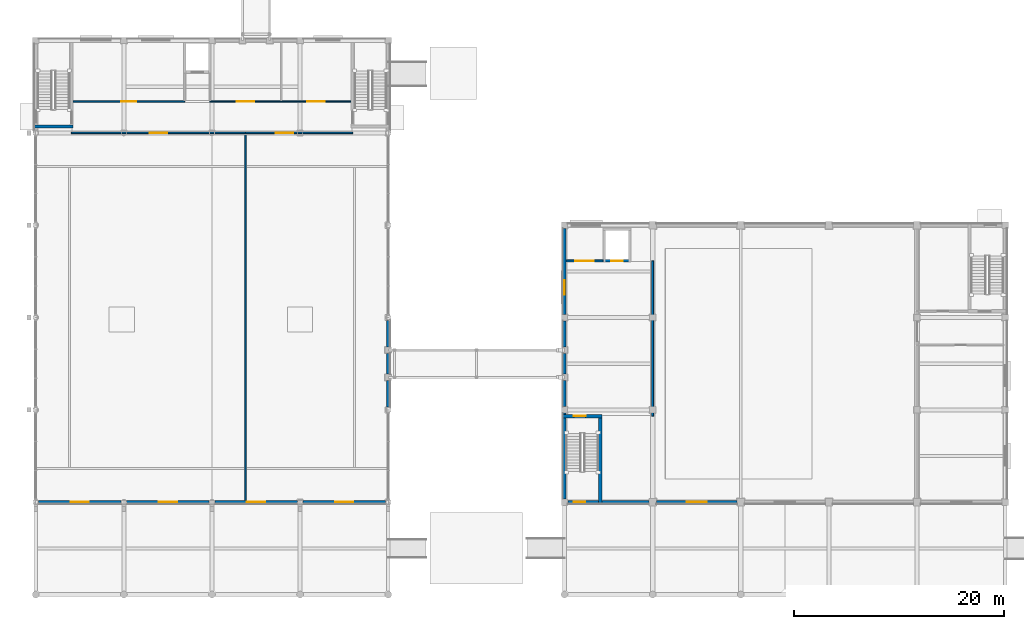
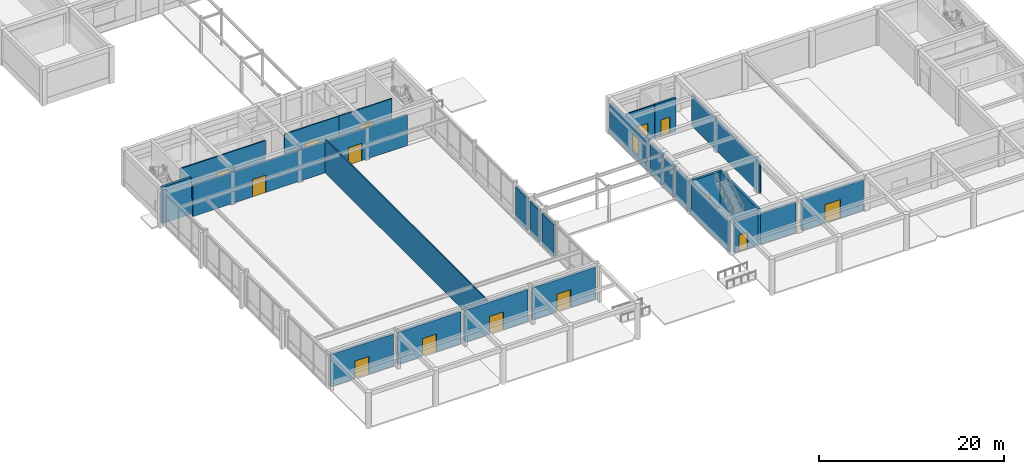
# One storey, part 32 of 58: 26 walls, 14 doors, 1 window, 15 openings.
"""IFC4 building model written with IfcOpenShell, lengths in metres."""

from ifc_helpers import new_model, si_unit, direction, frame, frame_2d, origin, place, context, subcontext, project, spatial, rectangle, extrude, material, layer, layer_set, type_object, element, fill, save


model = new_model("IFC4")

# Units and contexts
model_context = context("Model", 3, precision=1e-05, world=origin(), true_north=direction((0.0, 1.0)))
body_context = subcontext(model_context, "Body", "Model", "MODEL_VIEW")
ifc_project = project(units=[si_unit("LENGTHUNIT", "METRE"), si_unit("AREAUNIT", "SQUARE_METRE"), si_unit("VOLUMEUNIT", "CUBIC_METRE"), si_unit("PLANEANGLEUNIT", "RADIAN"), si_unit("MASSUNIT", "GRAM", prefix="KILO")], contexts=[model_context])

# Site, building, storey
site_placement = place(None, origin())
site = spatial("IfcSite", under=ifc_project, at=site_placement, CompositionType="ELEMENT")
building_placement = place(site_placement, origin())
building = spatial("IfcBuilding", under=site, at=building_placement, Name="Kemercrest Conservatory and Botanical Centre", CompositionType="ELEMENT")
storey_placement = place(building_placement, origin())
storey = spatial("IfcBuildingStorey", under=building, at=storey_placement, Name="L00", CompositionType="ELEMENT", Elevation=0.0)

# Wall, opening, door
ifc_material_1 = material(Name="Precast concrete C40/50", Category="concrete")
ifc_layer_1 = layer(ifc_material_1, 0.300048828125)
ifc_layer_set_1 = layer_set([ifc_layer_1], Name="Precast concrete C40/50")
wall_type_1 = type_object("IfcWallType", Name="CW-EXT300", PredefinedType="SHEAR", material=ifc_layer_set_1)
wall_1_placement = place(storey_placement, frame((58.7099609375, 16.800048828125, 0.0), z_axis=(0.0, 0.0, 1.0), x_axis=(1.0, 0.0, 0.0)))
wall_1 = element("IfcWall", 1, at=wall_1_placement, inside=storey, type_object=wall_type_1, Name="Exterior stair-core shear wall CW-EXT300 (WAL:L00:EXT-021)", PredefinedType="SHEAR", context=body_context, shape_type="SweptSolid", body=[
    extrude(rectangle(XDim=7.72998046875, YDim=0.300048828125, at=frame_2d((3.864990234375, 0.0))), origin(), (0.0, 0.0, 1.0), 4.050048828125),
])
opening_1_placement = place(wall_1_placement, frame((0.550048828125, 0.0, 0.0)))
opening_1 = element("IfcOpeningElement", 2, at=opening_1_placement, cuts=wall_1, Name="Opening ED013", PredefinedType="OPENING", context=body_context, shape_type="SweptSolid", body=[
    extrude(rectangle(XDim=1.10009765625, YDim=2.199951171875, at=frame_2d((0.550048828125, 1.10009765625))), frame((0.0, 0.16015625, 0.0), z_axis=(0.0, -1.0, 0.0), x_axis=(1.0, 0.0, 0.0)), (0.0, 0.0, 1.0), 0.320068359375),
])
ifc_material_2 = material(Name="Thermally broken bronze-anodized aluminium and laminated safety glass", Category="aluminium")
door_type_1 = type_object("IfcDoorType", Name="DT-E03", OperationType="NOTDEFINED", PredefinedType="DOOR", material=ifc_material_2)
door_1_placement = place(opening_1_placement, frame((1.10009765625, 0.0, 0.0), z_axis=(0.0, 0.0, 1.0), x_axis=(-1.0, 0.0, 0.0)))
door_1 = element("IfcDoor", 3, at=door_1_placement, inside=storey, type_object=door_type_1, Name="Exit Stair ST-V2A Exterior Discharge Door", OperationType="SINGLE_SWING_LEFT", OverallHeight=2.199951171875, OverallWidth=1.10009765625, PredefinedType="DOOR", context=body_context, shape_type="SweptSolid", body=[
    extrude(rectangle(XDim=1.10009765625, YDim=2.199951171875, at=frame_2d((0.550048828125, 1.10009765625))), frame((0.0, 0.02490234375, 0.0), z_axis=(0.0, -1.0, 0.0), x_axis=(1.0, 0.0, 0.0)), (0.0, 0.0, 1.0), 0.050048828125),
])
fill(opening_1, door_1)

# Walls
wall_2_placement = place(storey_placement, frame((58.39990234375, 25.2900390625, 0.0), z_axis=(0.0, 0.0, 1.0), x_axis=(0.0, -1.0, 0.0)))
element("IfcWall", 4, at=wall_2_placement, inside=storey, type_object=wall_type_1, Name="Exterior stair-core shear wall CW-EXT300 (WAL:L00:EXT-036)", PredefinedType="SHEAR", context=body_context, shape_type="SweptSolid", body=[
    extrude(rectangle(XDim=8.179931640625, YDim=0.300048828125, at=frame_2d((4.08984375, 0.0))), origin(), (0.0, 0.0, 1.0), 4.050048828125),
])
ifc_material_3 = material(Name="Concrete C50/60", Category="concrete")
ifc_layer_2 = layer(ifc_material_3, 0.300048828125)
ifc_layer_set_2 = layer_set([ifc_layer_2], Name="Concrete C50/60")
wall_type_2 = type_object("IfcWallType", Name="CW-STAIR", PredefinedType="SHEAR", material=ifc_layer_set_2)
wall_3_placement = place(storey_placement, frame((7.85009765625, 52.60009765625, 0.0), z_axis=(0.0, 0.0, 1.0), x_axis=(1.0, 0.0, 0.0)))
element("IfcWall", 5, at=wall_3_placement, inside=storey, type_object=wall_type_2, Name="Stair core ST-V1A shear wall S", PredefinedType="SHEAR", context=body_context, shape_type="SweptSolid", body=[
    extrude(rectangle(XDim=3.699951171875, YDim=0.300048828125, at=frame_2d((1.85009765625, 0.0))), origin(), (0.0, 0.0, 1.0), 4.800048828125),
])

# Wall, opening, door
wall_4_placement = place(storey_placement, frame((58.25, 25.0, 0.0), z_axis=(0.0, 0.0, 1.0), x_axis=(1.0, 0.0, 0.0)))
wall_4 = element("IfcWall", 6, at=wall_4_placement, inside=storey, type_object=wall_type_2, Name="Stair core ST-V2A shear wall N", PredefinedType="SHEAR", context=body_context, shape_type="SweptSolid", body=[
    extrude(rectangle(XDim=3.699951171875, YDim=0.300048828125, at=frame_2d((1.85009765625, 0.0))), origin(), (0.0, 0.0, 1.0), 4.800048828125),
])
opening_2_placement = place(wall_4_placement, frame((1.050048828125, 0.0, 0.0)))
opening_2 = element("IfcOpeningElement", 7, at=opening_2_placement, cuts=wall_4, Name="Opening D008", PredefinedType="OPENING", context=body_context, shape_type="SweptSolid", body=[
    extrude(rectangle(XDim=1.10009765625, YDim=2.199951171875, at=frame_2d((0.550048828125, 1.10009765625))), frame((0.0, 0.16015625, 0.0), z_axis=(0.0, -1.0, 0.0), x_axis=(1.0, 0.0, 0.0)), (0.0, 0.0, 1.0), 0.320068359375),
])
ifc_material_4 = material(Name="Powder-coated galvanized steel and fire-rated vision glass", Category="steel")
door_type_2 = type_object("IfcDoorType", Name="DT-FD90", OperationType="NOTDEFINED", PredefinedType="DOOR", material=ifc_material_4)
door_2_placement = place(opening_2_placement, origin())
door_2 = element("IfcDoor", 8, at=door_2_placement, inside=storey, type_object=door_type_2, Name="Exit stair ST-V2A fire door D008", OperationType="SINGLE_SWING_RIGHT", OverallHeight=2.199951171875, OverallWidth=1.10009765625, PredefinedType="DOOR", context=body_context, shape_type="SweptSolid", body=[
    extrude(rectangle(XDim=1.10009765625, YDim=2.199951171875, at=frame_2d((0.550048828125, 1.10009765625))), frame((0.0, 0.02490234375, 0.0), z_axis=(0.0, -1.0, 0.0), x_axis=(1.0, 0.0, 0.0)), (0.0, 0.0, 1.0), 0.050048828125),
])
fill(opening_2, door_2)

# Wall
wall_5_placement = place(storey_placement, frame((61.800048828125, 16.64990234375, 0.0), z_axis=(0.0, 0.0, 1.0), x_axis=(0.0, 1.0, 0.0)))
element("IfcWall", 9, at=wall_5_placement, inside=storey, type_object=wall_type_2, Name="Stair core ST-V2A shear wall E", PredefinedType="SHEAR", context=body_context, shape_type="SweptSolid", body=[
    extrude(rectangle(XDim=8.5, YDim=0.300048828125, at=frame_2d((4.25, 0.0))), origin(), (0.0, 0.0, 1.0), 4.800048828125),
])

# Wall, opening, door
ifc_layer_3 = layer(ifc_material_1, 0.300048828125)
ifc_layer_set_3 = layer_set([ifc_layer_3], Name="Precast concrete C40/50")
wall_type_3 = type_object("IfcWallType", Name="W-EXT300", PredefinedType="SOLIDWALL", material=ifc_layer_set_3)
wall_6_placement = place(storey_placement, frame((8.263916015625, 16.800048828125, 0.0), z_axis=(0.0, 0.0, 1.0), x_axis=(1.0, 0.0, 0.0)))
wall_6 = element("IfcWall", 10, at=wall_6_placement, inside=storey, type_object=wall_type_3, Name="Exterior almasik wall W-EXT300 (WAL:L00:EXT-001)", PredefinedType="SOLIDWALL", context=body_context, shape_type="SweptSolid", body=[
    extrude(rectangle(XDim=7.8720703125, YDim=0.300048828125, at=frame_2d((3.93603515625, 0.0))), origin(), (0.0, 0.0, 1.0), 4.25),
])
opening_3_placement = place(wall_6_placement, frame((3.06103515625, 0.0, 0.0)))
opening_3 = element("IfcOpeningElement", 11, at=opening_3_placement, cuts=wall_6, Name="Opening ED001", PredefinedType="OPENING", context=body_context, shape_type="SweptSolid", body=[
    extrude(rectangle(XDim=1.75, YDim=2.35009765625, at=frame_2d((0.875, 1.175048828125))), frame((0.0, 0.16015625, 0.0), z_axis=(0.0, -1.0, 0.0), x_axis=(1.0, 0.0, 0.0)), (0.0, 0.0, 1.0), 0.320068359375),
])
door_type_3 = type_object("IfcDoorType", Name="DT-E10", OperationType="DOUBLE_DOOR_SINGLE_SWING", PredefinedType="DOOR", material=ifc_material_2)
door_3_placement = place(opening_3_placement, frame((1.75, 0.0, 0.0), z_axis=(0.0, 0.0, 1.0), x_axis=(-1.0, 0.0, 0.0)))
door_3 = element("IfcDoor", 12, at=door_3_placement, inside=storey, type_object=door_type_3, Name="Conservatory South Harbour Entrance Door", OperationType="DOUBLE_DOOR_SINGLE_SWING", OverallHeight=2.35009765625, OverallWidth=1.75, PredefinedType="DOOR", context=body_context, shape_type="SweptSolid", body=[
    extrude(rectangle(XDim=1.75, YDim=2.35009765625, at=frame_2d((0.875, 1.175048828125))), frame((0.0, 0.02490234375, 0.0), z_axis=(0.0, -1.0, 0.0), x_axis=(1.0, 0.0, 0.0)), (0.0, 0.0, 1.0), 0.050048828125),
])
fill(opening_3, door_3)

wall_7_placement = place(storey_placement, frame((16.6640625, 16.800048828125, 0.0), z_axis=(0.0, 0.0, 1.0), x_axis=(1.0, 0.0, 0.0)))
wall_7 = element("IfcWall", 13, at=wall_7_placement, inside=storey, type_object=wall_type_3, Name="Exterior almasik wall W-EXT300 (WAL:L00:EXT-002)", PredefinedType="SOLIDWALL", context=body_context, shape_type="SweptSolid", body=[
    extrude(rectangle(XDim=7.871826171875, YDim=0.300048828125, at=frame_2d((3.93603515625, 0.0))), origin(), (0.0, 0.0, 1.0), 4.25),
])
opening_4_placement = place(wall_7_placement, frame((3.06103515625, 0.0, 0.0)))
opening_4 = element("IfcOpeningElement", 14, at=opening_4_placement, cuts=wall_7, Name="Opening ED002", PredefinedType="OPENING", context=body_context, shape_type="SweptSolid", body=[
    extrude(rectangle(XDim=1.75, YDim=2.35009765625, at=frame_2d((0.875, 1.175048828125))), frame((0.0, 0.16015625, 0.0), z_axis=(0.0, -1.0, 0.0), x_axis=(1.0, 0.0, 0.0)), (0.0, 0.0, 1.0), 0.320068359375),
])
door_4_placement = place(opening_4_placement, frame((1.75, 0.0, 0.0), z_axis=(0.0, 0.0, 1.0), x_axis=(-1.0, 0.0, 0.0)))
door_4 = element("IfcDoor", 15, at=door_4_placement, inside=storey, type_object=door_type_3, Name="Conservatory South Harbour Entrance Door", OperationType="DOUBLE_DOOR_SINGLE_SWING", OverallHeight=2.35009765625, OverallWidth=1.75, PredefinedType="DOOR", context=body_context, shape_type="SweptSolid", body=[
    extrude(rectangle(XDim=1.75, YDim=2.35009765625, at=frame_2d((0.875, 1.175048828125))), frame((0.0, 0.02490234375, 0.0), z_axis=(0.0, -1.0, 0.0), x_axis=(1.0, 0.0, 0.0)), (0.0, 0.0, 1.0), 0.050048828125),
])
fill(opening_4, door_4)

wall_8_placement = place(storey_placement, frame((25.06396484375, 16.800048828125, 0.0), z_axis=(0.0, 0.0, 1.0), x_axis=(1.0, 0.0, 0.0)))
wall_8 = element("IfcWall", 16, at=wall_8_placement, inside=storey, type_object=wall_type_3, Name="Exterior almasik wall W-EXT300 (WAL:L00:EXT-003)", PredefinedType="SOLIDWALL", context=body_context, shape_type="SweptSolid", body=[
    extrude(rectangle(XDim=7.8720703125, YDim=0.300048828125, at=frame_2d((3.93603515625, 0.0))), origin(), (0.0, 0.0, 1.0), 4.25),
])
opening_5_placement = place(wall_8_placement, frame((3.06103515625, 0.0, 0.0)))
opening_5 = element("IfcOpeningElement", 17, at=opening_5_placement, cuts=wall_8, Name="Opening ED003", PredefinedType="OPENING", context=body_context, shape_type="SweptSolid", body=[
    extrude(rectangle(XDim=1.75, YDim=2.35009765625, at=frame_2d((0.875, 1.175048828125))), frame((0.0, 0.16015625, 0.0), z_axis=(0.0, -1.0, 0.0), x_axis=(1.0, 0.0, 0.0)), (0.0, 0.0, 1.0), 0.320068359375),
])
door_5_placement = place(opening_5_placement, frame((1.75, 0.0, 0.0), z_axis=(0.0, 0.0, 1.0), x_axis=(-1.0, 0.0, 0.0)))
door_5 = element("IfcDoor", 18, at=door_5_placement, inside=storey, type_object=door_type_3, Name="Conservatory South Harbour Entrance Door", OperationType="DOUBLE_DOOR_SINGLE_SWING", OverallHeight=2.35009765625, OverallWidth=1.75, PredefinedType="DOOR", context=body_context, shape_type="SweptSolid", body=[
    extrude(rectangle(XDim=1.75, YDim=2.35009765625, at=frame_2d((0.875, 1.175048828125))), frame((0.0, 0.02490234375, 0.0), z_axis=(0.0, -1.0, 0.0), x_axis=(1.0, 0.0, 0.0)), (0.0, 0.0, 1.0), 0.050048828125),
])
fill(opening_5, door_5)

wall_9_placement = place(storey_placement, frame((33.464111328125, 16.800048828125, 0.0), z_axis=(0.0, 0.0, 1.0), x_axis=(1.0, 0.0, 0.0)))
wall_9 = element("IfcWall", 19, at=wall_9_placement, inside=storey, type_object=wall_type_3, Name="Exterior almasik wall W-EXT300 (WAL:L00:EXT-004)", PredefinedType="SOLIDWALL", context=body_context, shape_type="SweptSolid", body=[
    extrude(rectangle(XDim=7.871826171875, YDim=0.300048828125, at=frame_2d((3.93603515625, 0.0))), origin(), (0.0, 0.0, 1.0), 4.25),
])
opening_6_placement = place(wall_9_placement, frame((3.06103515625, 0.0, 0.0)))
opening_6 = element("IfcOpeningElement", 20, at=opening_6_placement, cuts=wall_9, Name="Opening ED004", PredefinedType="OPENING", context=body_context, shape_type="SweptSolid", body=[
    extrude(rectangle(XDim=1.75, YDim=2.35009765625, at=frame_2d((0.875, 1.175048828125))), frame((0.0, 0.16015625, 0.0), z_axis=(0.0, -1.0, 0.0), x_axis=(1.0, 0.0, 0.0)), (0.0, 0.0, 1.0), 0.320068359375),
])
door_6_placement = place(opening_6_placement, frame((1.75, 0.0, 0.0), z_axis=(0.0, 0.0, 1.0), x_axis=(-1.0, 0.0, 0.0)))
door_6 = element("IfcDoor", 21, at=door_6_placement, inside=storey, type_object=door_type_3, Name="Conservatory South Harbour Entrance Door", OperationType="DOUBLE_DOOR_SINGLE_SWING", OverallHeight=2.35009765625, OverallWidth=1.75, PredefinedType="DOOR", context=body_context, shape_type="SweptSolid", body=[
    extrude(rectangle(XDim=1.75, YDim=2.35009765625, at=frame_2d((0.875, 1.175048828125))), frame((0.0, 0.02490234375, 0.0), z_axis=(0.0, -1.0, 0.0), x_axis=(1.0, 0.0, 0.0)), (0.0, 0.0, 1.0), 0.050048828125),
])
fill(opening_6, door_6)

# Walls
wall_10_placement = place(storey_placement, frame((41.60009765625, 25.864013671875, 0.0), z_axis=(0.0, 0.0, 1.0), x_axis=(0.0, 1.0, 0.0)))
element("IfcWall", 22, at=wall_10_placement, inside=storey, type_object=wall_type_3, Name="Exterior almasik wall W-EXT300 (WAL:L00:EXT-005-S1)", PredefinedType="SOLIDWALL", context=body_context, shape_type="SweptSolid", body=[
    extrude(rectangle(XDim=2.52587890625, YDim=0.300048828125, at=frame_2d((1.262939453125, 0.0))), origin(), (0.0, 0.0, 1.0), 4.22607421875),
])
wall_11_placement = place(storey_placement, frame((41.60009765625, 29.010009765625, 0.0), z_axis=(0.0, 0.0, 1.0), x_axis=(0.0, 1.0, 0.0)))
element("IfcWall", 23, at=wall_11_placement, inside=storey, type_object=wall_type_3, Name="Exterior almasik wall W-EXT300 (WAL:L00:EXT-005-S2)", PredefinedType="SOLIDWALL", context=body_context, shape_type="SweptSolid", body=[
    extrude(rectangle(XDim=1.97998046875, YDim=0.300048828125, at=frame_2d((0.989990234375, 0.0))), origin(), (0.0, 0.0, 1.0), 4.22607421875),
])
wall_12_placement = place(storey_placement, frame((41.60009765625, 31.610107421875, 0.0), z_axis=(0.0, 0.0, 1.0), x_axis=(0.0, 1.0, 0.0)))
element("IfcWall", 24, at=wall_12_placement, inside=storey, type_object=wall_type_3, Name="Exterior almasik wall W-EXT300 (WAL:L00:EXT-005-S3)", PredefinedType="SOLIDWALL", context=body_context, shape_type="SweptSolid", body=[
    extrude(rectangle(XDim=2.52587890625, YDim=0.300048828125, at=frame_2d((1.262939453125, 0.0))), origin(), (0.0, 0.0, 1.0), 4.22607421875),
])

# Wall, opening, door
wall_13_placement = place(storey_placement, frame((67.159912109375, 16.800048828125, 0.0), z_axis=(0.0, 0.0, 1.0), x_axis=(1.0, 0.0, 0.0)))
wall_13 = element("IfcWall", 25, at=wall_13_placement, inside=storey, type_object=wall_type_3, Name="Exterior almasik wall W-EXT300 (WAL:L00:EXT-022)", PredefinedType="SOLIDWALL", context=body_context, shape_type="SweptSolid", body=[
    extrude(rectangle(XDim=7.68017578125, YDim=0.300048828125, at=frame_2d((3.840087890625, 0.0))), origin(), (0.0, 0.0, 1.0), 4.050048828125),
])
opening_7_placement = place(wall_13_placement, frame((2.864990234375, 0.0, 0.0)))
opening_7 = element("IfcOpeningElement", 26, at=opening_7_placement, cuts=wall_13, Name="Opening ED014", PredefinedType="OPENING", context=body_context, shape_type="SweptSolid", body=[
    extrude(rectangle(XDim=1.949951171875, YDim=2.449951171875, at=frame_2d((0.97509765625, 1.22509765625))), frame((0.0, 0.16015625, 0.0), z_axis=(0.0, -1.0, 0.0), x_axis=(1.0, 0.0, 0.0)), (0.0, 0.0, 1.0), 0.320068359375),
])
door_type_4 = type_object("IfcDoorType", Name="DT-E11", OperationType="DOUBLE_DOOR_SINGLE_SWING", PredefinedType="DOOR", material=ifc_material_2)
door_7_placement = place(opening_7_placement, frame((1.949951171875, 0.0, 0.0), z_axis=(0.0, 0.0, 1.0), x_axis=(-1.0, 0.0, 0.0)))
door_7 = element("IfcDoor", 27, at=door_7_placement, inside=storey, type_object=door_type_4, Name="Auditorium Harbour Foyer Main Entrance Door", OperationType="DOUBLE_DOOR_SINGLE_SWING", OverallHeight=2.449951171875, OverallWidth=1.949951171875, PredefinedType="DOOR", context=body_context, shape_type="SweptSolid", body=[
    extrude(rectangle(XDim=1.949951171875, YDim=2.449951171875, at=frame_2d((0.97509765625, 1.22509765625))), frame((0.0, 0.02490234375, 0.0), z_axis=(0.0, -1.0, 0.0), x_axis=(1.0, 0.0, 0.0)), (0.0, 0.0, 1.0), 0.050048828125),
])
fill(opening_7, door_7)

# Wall, opening, window
wall_14_placement = place(storey_placement, frame((58.39990234375, 42.889892578125, 0.0), z_axis=(0.0, 0.0, 1.0), x_axis=(0.0, -1.0, 0.0)))
wall_14 = element("IfcWall", 28, at=wall_14_placement, inside=storey, type_object=wall_type_3, Name="Exterior almasik wall W-EXT300 (WAL:L00:EXT-034)", PredefinedType="SOLIDWALL", context=body_context, shape_type="SweptSolid", body=[
    extrude(rectangle(XDim=8.179931640625, YDim=0.300048828125, at=frame_2d((4.08984375, 0.0))), origin(), (0.0, 0.0, 1.0), 4.050048828125),
])
opening_8_placement = place(wall_14_placement, frame((4.945068359375, 0.0, 0.89990234375)))
opening_8 = element("IfcOpeningElement", 29, at=opening_8_placement, cuts=wall_14, Name="Opening WT-41", PredefinedType="OPENING", context=body_context, shape_type="SweptSolid", body=[
    extrude(rectangle(XDim=1.3798828125, YDim=2.239990234375, at=frame_2d((0.68994140625, 1.1201171875))), frame((0.0, 0.16015625, 0.0), z_axis=(0.0, -1.0, 0.0), x_axis=(1.0, 0.0, 0.0)), (0.0, 0.0, 1.0), 0.320068359375),
])
ifc_material_5 = material(Name="Thermally broken bronze-anodized aluminium and triple glazing", Category="aluminium")
window_type = type_object("IfcWindowType", Name="WT-41", PartitioningType="SINGLE_PANEL", PredefinedType="WINDOW", material=ifc_material_5)
window_placement = place(opening_8_placement, origin())
window = element("IfcWindow", 30, at=window_placement, inside=storey, type_object=window_type, Name="Exterior window WT-41 (WIN:L00:EXT-034)", OverallHeight=2.239990234375, OverallWidth=1.3798828125, PartitioningType="SINGLE_PANEL", PredefinedType="WINDOW", context=body_context, shape_type="SweptSolid", body=[
    extrude(rectangle(XDim=1.3798828125, YDim=2.239990234375, at=frame_2d((0.68994140625, 1.1201171875))), frame((0.0, 0.030029296875, 0.0), z_axis=(0.0, -1.0, 0.0), x_axis=(1.0, 0.0, 0.0)), (0.0, 0.0, 1.0), 0.06005859375),
])
fill(opening_8, window)

# Walls
wall_15_placement = place(storey_placement, frame((58.39990234375, 34.090087890625, 0.0), z_axis=(0.0, 0.0, 1.0), x_axis=(0.0, -1.0, 0.0)))
element("IfcWall", 31, at=wall_15_placement, inside=storey, type_object=wall_type_3, Name="Exterior almasik wall W-EXT300 (WAL:L00:EXT-035-S1)", PredefinedType="SOLIDWALL", context=body_context, shape_type="SweptSolid", body=[
    extrude(rectangle(XDim=2.47998046875, YDim=0.300048828125, at=frame_2d((1.239990234375, 0.0))), origin(), (0.0, 0.0, 1.0), 4.050048828125),
])
wall_16_placement = place(storey_placement, frame((58.39990234375, 30.989990234375, 0.0), z_axis=(0.0, 0.0, 1.0), x_axis=(0.0, -1.0, 0.0)))
element("IfcWall", 32, at=wall_16_placement, inside=storey, type_object=wall_type_3, Name="Exterior almasik wall W-EXT300 (WAL:L00:EXT-035-S2)", PredefinedType="SOLIDWALL", context=body_context, shape_type="SweptSolid", body=[
    extrude(rectangle(XDim=1.97998046875, YDim=0.300048828125, at=frame_2d((0.989990234375, 0.0))), origin(), (0.0, 0.0, 1.0), 4.050048828125),
])
wall_17_placement = place(storey_placement, frame((58.39990234375, 28.389892578125, 0.0), z_axis=(0.0, 0.0, 1.0), x_axis=(0.0, -1.0, 0.0)))
element("IfcWall", 33, at=wall_17_placement, inside=storey, type_object=wall_type_3, Name="Exterior almasik wall W-EXT300 (WAL:L00:EXT-035-S3)", PredefinedType="SOLIDWALL", context=body_context, shape_type="SweptSolid", body=[
    extrude(rectangle(XDim=2.47998046875, YDim=0.300048828125, at=frame_2d((1.239990234375, 0.0))), origin(), (0.0, 0.0, 1.0), 4.050048828125),
])

# Wall, opening, door
ifc_material_6 = material(Name="Moisture-resistant gypsum board partition", Category="gypsum")
ifc_layer_4 = layer(ifc_material_6, 0.125)
ifc_layer_set_4 = layer_set([ifc_layer_4], Name="Moisture-resistant gypsum board partition")
wall_type_4 = type_object("IfcWallType", Name="W-PART125", PredefinedType="PARTITIONING", material=ifc_layer_set_4)
wall_18_placement = place(storey_placement, frame((24.60009765625, 55.0, 0.0), z_axis=(0.0, 0.0, 1.0), x_axis=(1.0, 0.0, 0.0)))
wall_18 = element("IfcWall", 34, at=wall_18_placement, inside=storey, type_object=wall_type_4, Name="Interior partition W-PART125 #19", PredefinedType="PARTITIONING", context=body_context, shape_type="SweptSolid", body=[
    extrude(rectangle(XDim=6.7998046875, YDim=0.125, at=frame_2d((3.39990234375, 0.0))), origin(), (0.0, 0.0, 1.0), 4.465087890625),
])
opening_9_placement = place(wall_18_placement, frame((2.56005859375, 0.0, 0.0)))
opening_9 = element("IfcOpeningElement", 35, at=opening_9_placement, cuts=wall_18, Name="Opening D117", PredefinedType="OPENING", context=body_context, shape_type="SweptSolid", body=[
    extrude(rectangle(XDim=1.679931640625, YDim=2.300048828125, at=frame_2d((0.83984375, 1.14990234375))), frame((0.0, 0.072509765625, 0.0), z_axis=(0.0, -1.0, 0.0), x_axis=(1.0, 0.0, 0.0)), (0.0, 0.0, 1.0), 0.14501953125),
])
ifc_material_7 = material(Name="FSC solid-core white oak veneer and anodized aluminium frame", Category="aluminium")
door_type_5 = type_object("IfcDoorType", Name="DT-11", OperationType="DOUBLE_DOOR_SINGLE_SWING", PredefinedType="DOOR", material=ifc_material_7)
door_8_placement = place(opening_9_placement, origin())
door_8 = element("IfcDoor", 36, at=door_8_placement, inside=storey, type_object=door_type_5, Name="Conservatory Public Washroom door D117", OperationType="DOUBLE_DOOR_SINGLE_SWING", OverallHeight=2.300048828125, OverallWidth=1.679931640625, PredefinedType="DOOR", context=body_context, shape_type="SweptSolid", body=[
    extrude(rectangle(XDim=1.679931640625, YDim=2.300048828125, at=frame_2d((0.83984375, 1.14990234375))), frame((0.0, 0.02490234375, 0.0), z_axis=(0.0, -1.0, 0.0), x_axis=(1.0, 0.0, 0.0)), (0.0, 0.0, 1.0), 0.050048828125),
])
fill(opening_9, door_8)

wall_19_placement = place(storey_placement, frame((31.39990234375, 55.0, 0.0), z_axis=(0.0, 0.0, 1.0), x_axis=(1.0, 0.0, 0.0)))
wall_19 = element("IfcWall", 37, at=wall_19_placement, inside=storey, type_object=wall_type_4, Name="Interior partition W-PART125 #20", PredefinedType="PARTITIONING", context=body_context, shape_type="SweptSolid", body=[
    extrude(rectangle(XDim=6.64501953125, YDim=0.125, at=frame_2d((3.322509765625, 0.0))), origin(), (0.0, 0.0, 1.0), 4.465087890625),
])
opening_10_placement = place(wall_19_placement, frame((2.482421875, 0.0, 0.0)))
opening_10 = element("IfcOpeningElement", 38, at=opening_10_placement, cuts=wall_19, Name="Opening D118", PredefinedType="OPENING", context=body_context, shape_type="SweptSolid", body=[
    extrude(rectangle(XDim=1.679931640625, YDim=2.300048828125, at=frame_2d((0.83984375, 1.14990234375))), frame((0.0, 0.072509765625, 0.0), z_axis=(0.0, -1.0, 0.0), x_axis=(1.0, 0.0, 0.0)), (0.0, 0.0, 1.0), 0.14501953125),
])
door_9_placement = place(opening_10_placement, origin())
door_9 = element("IfcDoor", 39, at=door_9_placement, inside=storey, type_object=door_type_5, Name="Conservatory Accessible Washroom door D118", OperationType="DOUBLE_DOOR_SINGLE_SWING", OverallHeight=2.300048828125, OverallWidth=1.679931640625, PredefinedType="DOOR", context=body_context, shape_type="SweptSolid", body=[
    extrude(rectangle(XDim=1.679931640625, YDim=2.300048828125, at=frame_2d((0.83984375, 1.14990234375))), frame((0.0, 0.02490234375, 0.0), z_axis=(0.0, -1.0, 0.0), x_axis=(1.0, 0.0, 0.0)), (0.0, 0.0, 1.0), 0.050048828125),
])
fill(opening_10, door_9)

ifc_material_8 = material(Name="Steel-stud gypsum board partition", Category="steel")
ifc_layer_5 = layer(ifc_material_8, 0.14990234375)
ifc_layer_set_5 = layer_set([ifc_layer_5], Name="Steel-stud gypsum board partition")
wall_type_5 = type_object("IfcWallType", Name="W-PART150", PredefinedType="PARTITIONING", material=ifc_layer_set_5)
wall_20_placement = place(storey_placement, frame((11.39990234375, 52.0, 0.0), z_axis=(0.0, 0.0, 1.0), x_axis=(1.0, 0.0, 0.0)))
wall_20 = element("IfcWall", 40, at=wall_20_placement, inside=storey, type_object=wall_type_5, Name="Interior partition W-PART150 #16", PredefinedType="PARTITIONING", context=body_context, shape_type="SweptSolid", body=[
    extrude(rectangle(XDim=16.60009765625, YDim=0.14990234375, at=frame_2d((8.300048828125, 0.0))), origin(), (0.0, 0.0, 1.0), 4.14501953125),
])
opening_11_placement = place(wall_20_placement, frame((7.4599609375, 0.0, 0.0)))
opening_11 = element("IfcOpeningElement", 41, at=opening_11_placement, cuts=wall_20, Name="Opening D114", PredefinedType="OPENING", context=body_context, shape_type="SweptSolid", body=[
    extrude(rectangle(XDim=1.679931640625, YDim=2.300048828125, at=frame_2d((0.83984375, 1.14990234375))), frame((0.0, 0.0849609375, 0.0), z_axis=(0.0, -1.0, 0.0), x_axis=(1.0, 0.0, 0.0)), (0.0, 0.0, 1.0), 0.169921875),
])
door_10_placement = place(opening_11_placement, origin())
door_10 = element("IfcDoor", 42, at=door_10_placement, inside=storey, type_object=door_type_5, Name="Conservatory door D114", OperationType="DOUBLE_DOOR_SINGLE_SWING", OverallHeight=2.300048828125, OverallWidth=1.679931640625, PredefinedType="DOOR", context=body_context, shape_type="SweptSolid", body=[
    extrude(rectangle(XDim=1.679931640625, YDim=2.300048828125, at=frame_2d((0.83984375, 1.14990234375))), frame((0.0, 0.02490234375, 0.0), z_axis=(0.0, -1.0, 0.0), x_axis=(1.0, 0.0, 0.0)), (0.0, 0.0, 1.0), 0.050048828125),
])
fill(opening_11, door_10)

wall_21_placement = place(storey_placement, frame((28.0, 52.0, 0.0), z_axis=(0.0, 0.0, 1.0), x_axis=(1.0, 0.0, 0.0)))
wall_21 = element("IfcWall", 43, at=wall_21_placement, inside=storey, type_object=wall_type_5, Name="Interior partition W-PART150 #17", PredefinedType="PARTITIONING", context=body_context, shape_type="SweptSolid", body=[
    extrude(rectangle(XDim=10.199951171875, YDim=0.14990234375, at=frame_2d((5.10009765625, 0.0))), origin(), (0.0, 0.0, 1.0), 4.14501953125),
])
opening_12_placement = place(wall_21_placement, frame((2.860107421875, 0.0, 0.0)))
opening_12 = element("IfcOpeningElement", 44, at=opening_12_placement, cuts=wall_21, Name="Opening D115", PredefinedType="OPENING", context=body_context, shape_type="SweptSolid", body=[
    extrude(rectangle(XDim=1.679931640625, YDim=2.300048828125, at=frame_2d((0.83984375, 1.14990234375))), frame((0.0, 0.0849609375, 0.0), z_axis=(0.0, -1.0, 0.0), x_axis=(1.0, 0.0, 0.0)), (0.0, 0.0, 1.0), 0.169921875),
])
door_11_placement = place(opening_12_placement, origin())
door_11 = element("IfcDoor", 45, at=door_11_placement, inside=storey, type_object=door_type_5, Name="Mediterranean and Arid Conservatory Biome door D115", OperationType="DOUBLE_DOOR_SINGLE_SWING", OverallHeight=2.300048828125, OverallWidth=1.679931640625, PredefinedType="DOOR", context=body_context, shape_type="SweptSolid", body=[
    extrude(rectangle(XDim=1.679931640625, YDim=2.300048828125, at=frame_2d((0.83984375, 1.14990234375))), frame((0.0, 0.02490234375, 0.0), z_axis=(0.0, -1.0, 0.0), x_axis=(1.0, 0.0, 0.0)), (0.0, 0.0, 1.0), 0.050048828125),
])
fill(opening_12, door_11)

wall_22_placement = place(storey_placement, frame((11.554931640625, 55.0, 0.0), z_axis=(0.0, 0.0, 1.0), x_axis=(1.0, 0.0, 0.0)))
wall_22 = element("IfcWall", 46, at=wall_22_placement, inside=storey, type_object=wall_type_5, Name="Interior partition W-PART150 #18", PredefinedType="PARTITIONING", context=body_context, shape_type="SweptSolid", body=[
    extrude(rectangle(XDim=10.64501953125, YDim=0.14990234375, at=frame_2d((5.322509765625, 0.0))), origin(), (0.0, 0.0, 1.0), 4.465087890625),
])
opening_13_placement = place(wall_22_placement, frame((4.6025390625, 0.0, 0.0)))
opening_13 = element("IfcOpeningElement", 47, at=opening_13_placement, cuts=wall_22, Name="Opening D116", PredefinedType="OPENING", context=body_context, shape_type="SweptSolid", body=[
    extrude(rectangle(XDim=1.43994140625, YDim=2.260009765625, at=frame_2d((0.719970703125, 1.1298828125))), frame((0.0, 0.0849609375, 0.0), z_axis=(0.0, -1.0, 0.0), x_axis=(1.0, 0.0, 0.0)), (0.0, 0.0, 1.0), 0.169921875),
])
door_type_6 = type_object("IfcDoorType", Name="DT-29", OperationType="DOUBLE_DOOR_SINGLE_SWING", PredefinedType="DOOR", material=ifc_material_7)
door_12_placement = place(opening_13_placement, origin())
door_12 = element("IfcDoor", 48, at=door_12_placement, inside=storey, type_object=door_type_6, Name="Horticultural Acclimatization Studio door D116", OperationType="DOUBLE_DOOR_SINGLE_SWING", OverallHeight=2.260009765625, OverallWidth=1.43994140625, PredefinedType="DOOR", context=body_context, shape_type="SweptSolid", body=[
    extrude(rectangle(XDim=1.43994140625, YDim=2.260009765625, at=frame_2d((0.719970703125, 1.1298828125))), frame((0.0, 0.02490234375, 0.0), z_axis=(0.0, -1.0, 0.0), x_axis=(1.0, 0.0, 0.0)), (0.0, 0.0, 1.0), 0.050048828125),
])
fill(opening_13, door_12)

# Wall
wall_23_placement = place(storey_placement, frame((28.0, 16.955078125, 0.0), z_axis=(0.0, 0.0, 1.0), x_axis=(0.0, 1.0, 0.0)))
element("IfcWall", 49, at=wall_23_placement, inside=storey, type_object=wall_type_5, Name="Interior partition W-PART150 #47", PredefinedType="PARTITIONING", context=body_context, shape_type="SweptSolid", body=[
    extrude(rectangle(XDim=34.96484375, YDim=0.14990234375, at=frame_2d((17.482421875, 0.0))), origin(), (0.0, 0.0, 1.0), 4.465087890625),
])

# Wall, opening, door
ifc_material_9 = material(Name="Acoustic steel-stud gypsum board assembly", Category="steel")
ifc_layer_6 = layer(ifc_material_9, 0.179931640625)
ifc_layer_set_6 = layer_set([ifc_layer_6], Name="Acoustic steel-stud gypsum board assembly")
wall_type_6 = type_object("IfcWallType", Name="W-PART180", PredefinedType="PARTITIONING", material=ifc_layer_set_6)
wall_24_placement = place(storey_placement, frame((58.554931640625, 39.800048828125, 0.0), z_axis=(0.0, 0.0, 1.0), x_axis=(1.0, 0.0, 0.0)))
wall_24 = element("IfcWall", 50, at=wall_24_placement, inside=storey, type_object=wall_type_6, Name="Interior partition W-PART180 #49", PredefinedType="PARTITIONING", context=body_context, shape_type="SweptSolid", body=[
    extrude(rectangle(XDim=3.51513671875, YDim=0.179931640625, at=frame_2d((1.757568359375, 0.0))), origin(), (0.0, 0.0, 1.0), 4.465087890625),
])
opening_14_placement = place(wall_24_placement, frame((0.867431640625, 0.0, 0.0)))
opening_14 = element("IfcOpeningElement", 51, at=opening_14_placement, cuts=wall_24, Name="Opening D138", PredefinedType="OPENING", context=body_context, shape_type="SweptSolid", body=[
    extrude(rectangle(XDim=1.780029296875, YDim=2.300048828125, at=frame_2d((0.89013671875, 1.14990234375))), frame((0.0, 0.10009765625, 0.0), z_axis=(0.0, -1.0, 0.0), x_axis=(1.0, 0.0, 0.0)), (0.0, 0.0, 1.0), 0.199951171875),
])
door_type_7 = type_object("IfcDoorType", Name="DT-12", OperationType="DOUBLE_DOOR_SINGLE_SWING", PredefinedType="DOOR", material=ifc_material_7)
door_13_placement = place(opening_14_placement, origin())
door_13 = element("IfcDoor", 52, at=door_13_placement, inside=storey, type_object=door_type_7, Name="Auditorium Accessible Washroom door D138", OperationType="DOUBLE_DOOR_SINGLE_SWING", OverallHeight=2.300048828125, OverallWidth=1.780029296875, PredefinedType="DOOR", context=body_context, shape_type="SweptSolid", body=[
    extrude(rectangle(XDim=1.780029296875, YDim=2.300048828125, at=frame_2d((0.89013671875, 1.14990234375))), frame((0.0, 0.02490234375, 0.0), z_axis=(0.0, -1.0, 0.0), x_axis=(1.0, 0.0, 0.0)), (0.0, 0.0, 1.0), 0.050048828125),
])
fill(opening_14, door_13)

# Wall
wall_25_placement = place(storey_placement, frame((66.800048828125, 25.0, 0.0), z_axis=(0.0, 0.0, 1.0), x_axis=(0.0, 1.0, 0.0)))
element("IfcWall", 53, at=wall_25_placement, inside=storey, type_object=wall_type_6, Name="Interior partition W-PART180 #50", PredefinedType="PARTITIONING", context=body_context, shape_type="SweptSolid", body=[
    extrude(rectangle(XDim=14.800048828125, YDim=0.179931640625, at=frame_2d((7.39990234375, 0.0))), origin(), (0.0, 0.0, 1.0), 4.044921875),
])

# Wall, opening, door
ifc_material_10 = material(Name="Concrete C40/50", Category="concrete")
ifc_layer_7 = layer(ifc_material_10, 0.25)
ifc_layer_set_7 = layer_set([ifc_layer_7], Name="Concrete C40/50")
wall_type_7 = type_object("IfcWallType", Name="W-SHFT250", PredefinedType="SOLIDWALL", material=ifc_layer_set_7)
wall_26_placement = place(storey_placement, frame((62.074951171875, 39.800048828125, 0.0), z_axis=(0.0, 0.0, 1.0), x_axis=(1.0, 0.0, 0.0)))
wall_26 = element("IfcWall", 54, at=wall_26_placement, inside=storey, type_object=wall_type_7, Name="Elevator LF-V2 shaft wall south", PredefinedType="SOLIDWALL", context=body_context, shape_type="SweptSolid", body=[
    extrude(rectangle(XDim=2.650146484375, YDim=0.25, at=frame_2d((1.3251953125, 0.0))), origin(), (0.0, 0.0, 1.0), 4.47998046875),
])
opening_15_placement = place(wall_26_placement, frame((0.77490234375, 0.0, 0.0)))
opening_15 = element("IfcOpeningElement", 55, at=opening_15_placement, cuts=wall_26, Name="Opening LD-097", PredefinedType="OPENING", context=body_context, shape_type="SweptSolid", body=[
    extrude(rectangle(XDim=1.10009765625, YDim=2.199951171875, at=frame_2d((0.550048828125, 1.10009765625))), frame((0.0, 0.135009765625, 0.0), z_axis=(0.0, -1.0, 0.0), x_axis=(1.0, 0.0, 0.0)), (0.0, 0.0, 1.0), 0.27001953125),
])
door_type_8 = type_object("IfcDoorType", Name="DT-LD01", OperationType="SLIDING_TO_LEFT", PredefinedType="DOOR", material=ifc_material_4)
door_14_placement = place(opening_15_placement, origin())
door_14 = element("IfcDoor", 56, at=door_14_placement, inside=storey, type_object=door_type_8, Name="Elevator LF-V2 sliding landing door LD-097", OperationType="SLIDING_TO_LEFT", OverallHeight=2.199951171875, OverallWidth=1.10009765625, PredefinedType="DOOR", context=body_context, shape_type="SweptSolid", body=[
    extrude(rectangle(XDim=1.10009765625, YDim=2.199951171875, at=frame_2d((0.550048828125, 1.10009765625))), frame((0.0, 0.02490234375, 0.0), z_axis=(0.0, -1.0, 0.0), x_axis=(1.0, 0.0, 0.0)), (0.0, 0.0, 1.0), 0.050048828125),
])
fill(opening_15, door_14)

save(model, "model.ifc")
